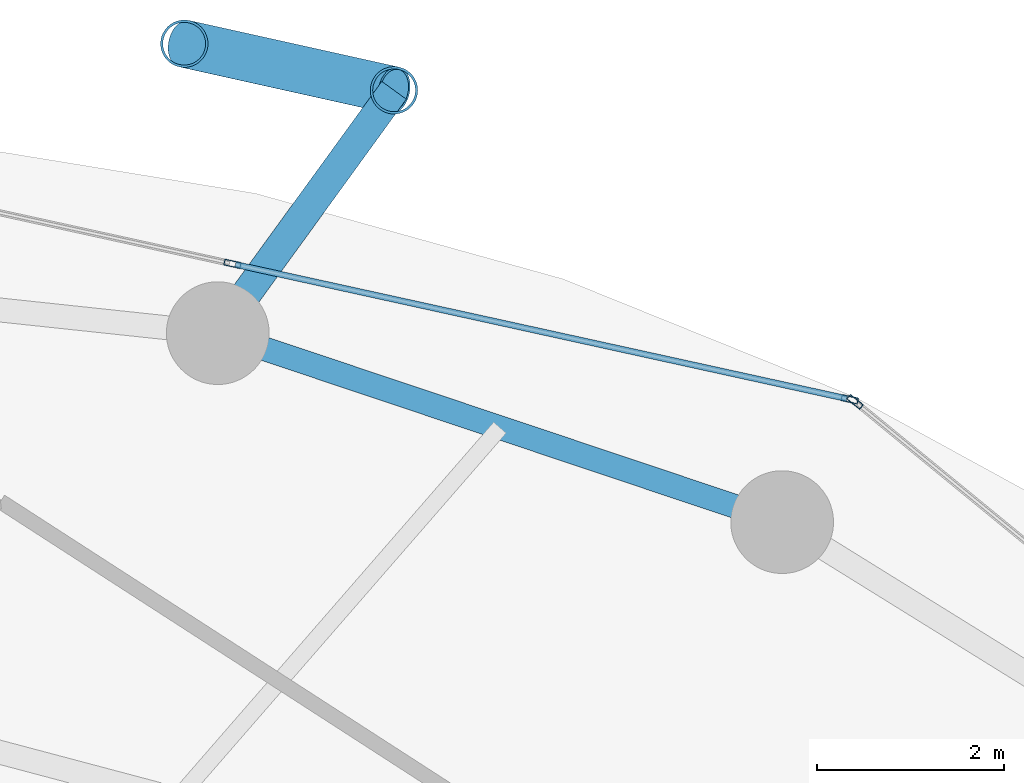
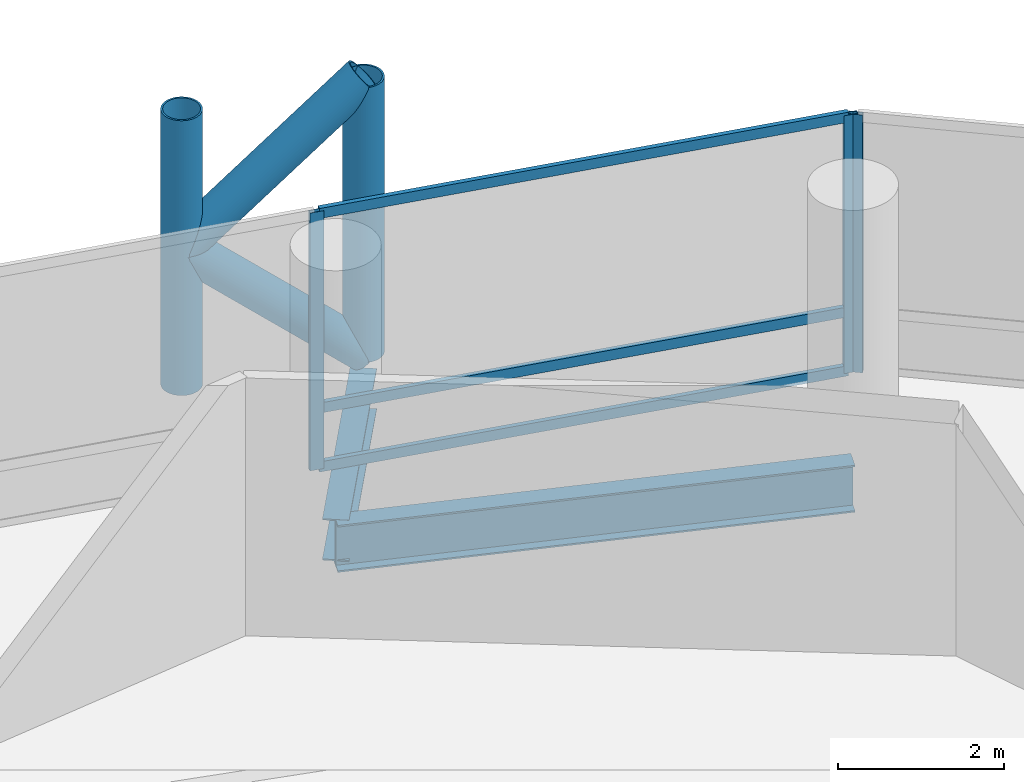
# One storey, part 18 of 24: 10 members, 2 beams, 2 elements without a shape of their own.
"""IFC4 building model written with IfcOpenShell, lengths in metres."""

import ifcopenshell
import ifcopenshell.guid

model = None  # the IFC model being written
_history = None  # IfcOwnerHistory: only IFC2X3 demands one
_inside = {}  # id of a spatial element -> (the spatial element, [elements in it])
_under = {}  # id of a project, library or spatial element -> (it, [spatial elements below it])
_declared = {}  # id of a project -> (the project, [libraries it declares])
_typed = {}  # id of a type object -> (the type object, [elements of that type])
_made_of = {}  # id of a material, layer set ... -> (it, [elements and type objects made of it])


def new_model(schema):
    """Start an empty IFC model of exactly this schema.

    Asked for "IFC4X3", IfcOpenShell would pick the latest addendum, in which some entities
    have other attributes; the version numbers below select the first issue.
    IFC2X3 requires an IfcOwnerHistory on every rooted entity: one is made here for all.
    """
    global model, _history
    if schema == "IFC4X3":
        model = ifcopenshell.file(schema_version=(4, 3, 0, 0))
    else:
        model = ifcopenshell.file(schema=schema)
    _inside.clear()
    _under.clear()
    _declared.clear()
    _typed.clear()
    _made_of.clear()
    _history = None
    if model.schema == "IFC2X3":
        org = make("IfcOrganization", Name="unknown")
        user = make(
            "IfcPersonAndOrganization",
            ThePerson=make("IfcPerson", FamilyName="unknown"),
            TheOrganization=org,
        )
        app = make(
            "IfcApplication",
            ApplicationDeveloper=org,
            Version="unknown",
            ApplicationFullName="unknown",
            ApplicationIdentifier="unknown",
        )
        _history = make(
            "IfcOwnerHistory",
            OwningUser=user,
            OwningApplication=app,
            ChangeAction="ADDED",
            CreationDate=0,
        )
    return model


def make(cls, **values):
    """One entity of the class cls with the attributes given. An attribute that is None is left unset."""
    return model.create_entity(
        cls, **{name: value for name, value in values.items() if value is not None}
    )


def rooted(cls, **values):
    """An entity with a GlobalId (a new one), such as an element, a storey or a relation."""
    return make(cls, GlobalId=ifcopenshell.guid.new(), OwnerHistory=_history, **values)


def si_unit(unit_type, name, prefix=None):
    """IfcSIUnit, for example si_unit("LENGTHUNIT", "METRE", prefix="MILLI")."""
    return make("IfcSIUnit", UnitType=unit_type, Prefix=prefix, Name=name)


def assignment(units):
    """IfcUnitAssignment: the units of a project."""
    return None if units is None else make("IfcUnitAssignment", Units=units)


def point(xyz):
    """IfcCartesianPoint."""
    return None if xyz is None else make("IfcCartesianPoint", Coordinates=xyz)


def direction(xyz):
    """IfcDirection."""
    return None if xyz is None else make("IfcDirection", DirectionRatios=xyz)


def frame(location, z_axis=None, x_axis=None):
    """IfcAxis2Placement3D, a coordinate frame: its origin and axes. An axis left out is left unset."""
    return make(
        "IfcAxis2Placement3D",
        Location=point(location),
        Axis=direction(z_axis),
        RefDirection=direction(x_axis),
    )


def frame_2d(location, x_axis=None):
    """IfcAxis2Placement2D, a coordinate frame in the plane: its origin and x axis."""
    return make(
        "IfcAxis2Placement2D", Location=point(location), RefDirection=direction(x_axis)
    )


def origin():
    """The frame at (0, 0, 0) with its axes left unset."""
    return frame((0.0, 0.0, 0.0))


def origin_2d():
    """The frame at (0, 0) in the plane with its x axis left unset."""
    return frame_2d((0.0, 0.0))


def place(relative_to, where):
    """IfcLocalPlacement: puts the frame where relative to a parent placement (None: the world)."""
    return make(
        "IfcLocalPlacement", PlacementRelTo=relative_to, RelativePlacement=where
    )


def context(
    kind, dimensions, precision=None, world=None, true_north=None, identifier=None
):
    """IfcGeometricRepresentationContext, for example the 3D "Model" context."""
    return make(
        "IfcGeometricRepresentationContext",
        ContextIdentifier=identifier,
        ContextType=kind,
        CoordinateSpaceDimension=dimensions,
        Precision=precision,
        WorldCoordinateSystem=world,
        TrueNorth=true_north,
    )


def subcontext(parent, identifier, kind, view, scale=None):
    """IfcGeometricRepresentationSubContext, for example "Body" below "Model"."""
    return make(
        "IfcGeometricRepresentationSubContext",
        ContextIdentifier=identifier,
        ContextType=kind,
        ParentContext=parent,
        TargetScale=scale,
        TargetView=view,
    )


def project(units=None, contexts=None):
    """IfcProject with its units and contexts."""
    return rooted(
        "IfcProject",
        Name="project",
        RepresentationContexts=contexts,
        UnitsInContext=assignment(units),
    )


def spatial(cls, under=None, at=None, **own):
    """A site, building, storey or space (cls), placed at a placement, below another one or the project."""
    s = rooted(cls, ObjectPlacement=at, **own)
    if under is not None:
        _under.setdefault(under.id(), (under, []))[1].append(s)
    return s


def profile(cls, at=None, kind="AREA", **sizes):
    """A parametric profile (cls). Its sizes go by their IFC names, for example OverallWidth=200.0."""
    return make(cls, ProfileType=kind, Position=at, **sizes)


def hollow_rectangle(**sizes):
    """IfcRectangleHollowProfileDef."""
    return profile("IfcRectangleHollowProfileDef", **sizes)


def hollow_circle(**sizes):
    """IfcCircleHollowProfileDef."""
    return profile("IfcCircleHollowProfileDef", **sizes)


def i_section(**sizes):
    """IfcIShapeProfileDef."""
    return profile("IfcIShapeProfileDef", **sizes)


def extrude(swept, where, along, depth):
    """IfcExtrudedAreaSolid: the profile swept, set in the frame where, extruded along a direction by depth."""
    return make(
        "IfcExtrudedAreaSolid",
        SweptArea=swept,
        Position=where,
        ExtrudedDirection=direction(along),
        Depth=depth,
    )


def shape(context_of_items, identifier, shape_type, items):
    """IfcShapeRepresentation: the items that make up one representation, for example the "Body"."""
    return make(
        "IfcShapeRepresentation",
        ContextOfItems=context_of_items,
        RepresentationIdentifier=identifier,
        RepresentationType=shape_type,
        Items=items,
    )


def material(Name=None, Category=None):
    """IfcMaterial."""
    return make("IfcMaterial", Name=Name, Category=Category)


def layer(
    of_material, thickness, ventilated=None, Name=None, Category=None, Priority=None
):
    """IfcMaterialLayer: one layer of a wall or slab, of a material (None: an air gap)."""
    return make(
        "IfcMaterialLayer",
        Material=of_material,
        LayerThickness=thickness,
        IsVentilated=ventilated,
        Name=Name,
        Category=Category,
        Priority=Priority,
    )


def layer_set(layers, Name=None):
    """IfcMaterialLayerSet."""
    return make("IfcMaterialLayerSet", MaterialLayers=layers, LayerSetName=Name)


def material_profile(
    of_material, cross_section, Name=None, Category=None, Priority=None
):
    """IfcMaterialProfile: a cross section and its material."""
    return make(
        "IfcMaterialProfile",
        Name=Name,
        Material=of_material,
        Profile=cross_section,
        Priority=Priority,
        Category=Category,
    )


def profile_set(profiles, Name=None, composite=None):
    """IfcMaterialProfileSet."""
    return make(
        "IfcMaterialProfileSet",
        Name=Name,
        MaterialProfiles=profiles,
        CompositeProfile=composite,
    )


def made_of(thing, what):
    """Note that an element or type object is made of a material, layer set ...; save() writes the relation."""
    if what is not None:
        _made_of.setdefault(what.id(), (what, []))[1].append(thing)
    return thing


def type_object(cls, material=None, **own):
    """A type object (cls), such as IfcWallType, which elements share."""
    return made_of(rooted(cls, **own), material)


def element(
    cls,
    number,
    at=None,
    inside=None,
    cuts=None,
    type_object=None,
    material=None,
    context=None,
    identifier="Body",
    shape_type=None,
    held_by="IfcProductDefinitionShape",
    body=None,
    shapes=None,
    **own,
):
    """One element of the class cls, such as IfcWall. Its Tag is "e" and its number.

    at: its placement. inside: the storey or other place that contains it. cuts: it is an
    opening in that element (IfcRelVoidsElement). A single representation is given by context,
    identifier, shape_type and body (its items); several are given by shapes. held_by: the class
    of the entity that holds the representations. save() writes the other relations.
    """
    e = rooted(cls, Tag="e%d" % number, ObjectPlacement=at, **own)
    if body is not None:
        shapes = [shape(context, identifier, shape_type, body)]
    if shapes is not None:
        e.Representation = make(held_by, Representations=shapes)
    if inside is not None:
        _inside.setdefault(inside.id(), (inside, []))[1].append(e)
    if cuts is not None:
        rooted(
            "IfcRelVoidsElement", RelatingBuildingElement=cuts, RelatedOpeningElement=e
        )
    if type_object is not None:
        _typed.setdefault(type_object.id(), (type_object, []))[1].append(e)
    return made_of(e, material)


def aggregate(whole, parts):
    """IfcRelAggregates: a whole, such as a stair, and the parts it consists of."""
    return rooted("IfcRelAggregates", RelatingObject=whole, RelatedObjects=parts)


def save(model, path):
    """Write the relations noted so far, then the file.

    IfcRelAggregates (storeys below a building ...), IfcRelContainedInSpatialStructure (elements
    in a storey), IfcRelDefinesByType, IfcRelAssociatesMaterial and IfcRelDeclares: one each for
    every whole, place, type object, material and project.
    """
    for whole, parts in _under.values():
        aggregate(whole, parts)
    for where, things in _inside.values():
        rooted(
            "IfcRelContainedInSpatialStructure",
            RelatedElements=things,
            RelatingStructure=where,
        )
    for kind, things in _typed.values():
        rooted("IfcRelDefinesByType", RelatedObjects=things, RelatingType=kind)
    for what, things in _made_of.values():
        rooted("IfcRelAssociatesMaterial", RelatedObjects=things, RelatingMaterial=what)
    for by, libraries in _declared.values():
        rooted("IfcRelDeclares", RelatingContext=by, RelatedDefinitions=libraries)
    model.write(path)


model = new_model("IFC4")

# Units and contexts
model_context = context("Model", 3, precision=1e-05, world=origin(), true_north=direction((0.0, 1.0)))
body_context = subcontext(model_context, "Body", "Model", "MODEL_VIEW")
ifc_project = project(units=[si_unit("LENGTHUNIT", "METRE"), si_unit("AREAUNIT", "SQUARE_METRE"), si_unit("VOLUMEUNIT", "CUBIC_METRE"), si_unit("PLANEANGLEUNIT", "RADIAN"), si_unit("MASSUNIT", "GRAM", prefix="KILO")], contexts=[model_context])

# Site, building, storey
site_placement = place(None, origin())
site = spatial("IfcSite", under=ifc_project, at=site_placement, CompositionType="ELEMENT")
building_placement = place(site_placement, origin())
building = spatial("IfcBuilding", under=site, at=building_placement, Name="Nuhasar Tower", CompositionType="ELEMENT")
storey_placement = place(building_placement, frame((0.0, 0.0, 85.800048828125)))
storey = spatial("IfcBuildingStorey", under=building, at=storey_placement, Name="L20", CompositionType="ELEMENT", Elevation=85.800048828125)

# Beams
ifc_material_1 = material(Name="Steel S355", Category="steel")
ifc_material_profile_1 = material_profile(ifc_material_1, i_section(OverallWidth=0.256103515625, OverallDepth=0.693115234375, WebThickness=0.014404296875, FlangeThickness=0.023681640625, at=origin_2d()), Name="W27X114")
ifc_profile_set_1 = profile_set([ifc_material_profile_1], Name="Steel S355")
beam_type_1 = type_object("IfcBeamType", Name="BM-RING-W27X114", PredefinedType="SPANDREL", material=ifc_profile_set_1)
beam_1_placement = place(storey_placement, frame((51.52490234375, 44.3369140625, -0.59716796875), z_axis=(-0.948249435708, 0.317526388949, 0.0), x_axis=(-0.317526388949, -0.948249435708, 0.0)))
element("IfcBeam", 1, at=beam_1_placement, inside=storey, type_object=beam_type_1, Name="L20 Perimeter Ring Spandrel 05", PredefinedType="SPANDREL", context=body_context, shape_type="SweptSolid", body=[
    extrude(i_section(OverallWidth=0.256103515625, OverallDepth=0.693115234375, WebThickness=0.014404296875, FlangeThickness=0.023681640625, at=origin_2d()), origin(), (0.0, 0.0, 1.0), 6.371826171875),
])
ifc_material_profile_2 = material_profile(ifc_material_1, i_section(OverallWidth=0.323974609375, OverallDepth=0.611083984375, WebThickness=0.0126953125, FlangeThickness=0.01904296875, at=origin_2d()), Name="W24X104")
ifc_profile_set_2 = profile_set([ifc_material_profile_2], Name="Steel S355")
beam_type_2 = type_object("IfcBeamType", Name="BM-TIE-W24X104", PredefinedType="BEAM", material=ifc_profile_set_2)
beam_2_placement = place(storey_placement, frame((45.48291015625, 46.360107421875, -0.554931640625), z_axis=(0.587439442414, 0.809268127073, 0.0), x_axis=(-0.809268127073, 0.587439442414, 0.0)))
element("IfcBeam", 2, at=beam_2_placement, inside=storey, type_object=beam_type_2, Name="L20 Exoskeleton Node Tie Beam 03", PredefinedType="BEAM", context=body_context, shape_type="SweptSolid", body=[
    extrude(i_section(OverallWidth=0.323974609375, OverallDepth=0.611083984375, WebThickness=0.0126953125, FlangeThickness=0.01904296875, at=origin_2d()), origin(), (0.0, 0.0, 1.0), 3.212646484375),
])

# Curtain wall, member
ifc_material_2 = material(Name="Aluminium 6063-T6", Category="aluminium")
ifc_layer = layer(ifc_material_2, 0.199951171875)
ifc_layer_set = layer_set([ifc_layer], Name="Aluminium 6063-T6")
curtain_wall_type = type_object("IfcCurtainWallType", Name="CW-Z1-OFF", PredefinedType="NOTDEFINED", material=ifc_layer_set)
curtain_wall_1_placement = place(storey_placement, origin())
curtain_wall_1 = element("IfcCurtainWall", 3, at=curtain_wall_1_placement, inside=storey, type_object=curtain_wall_type, Name="L20 Unitised Curtain Wall 02", PredefinedType="NOTDEFINED")
ifc_material_profile_3 = material_profile(ifc_material_2, hollow_rectangle(XDim=0.06494140625, YDim=0.179931640625, WallThickness=0.0048828125, at=origin_2d()), Name="CWM-2")
ifc_profile_set_3 = profile_set([ifc_material_profile_3], Name="Aluminium 6063-T6")
member_type_1 = type_object("IfcMemberType", Name="CW-MUL-S2", PredefinedType="MULLION", material=ifc_profile_set_3)
member_1_placement = place(storey_placement, frame((52.30517578125, 45.62451171875, 0.0), z_axis=(0.0, 0.0, 1.0), x_axis=(-0.633744593376, -0.773542364946, 0.0)))
member_1 = element("IfcMember", 4, at=member_1_placement, type_object=member_type_1, Name="CW-Z1 mullion 2", PredefinedType="MULLION", context=body_context, shape_type="SweptSolid", body=[
    extrude(hollow_rectangle(XDim=0.06494140625, YDim=0.179931640625, WallThickness=0.0048828125, at=origin_2d()), origin(), (0.0, 0.0, 1.0), 3.800048828125),
])
aggregate(curtain_wall_1, [member_1])

# Curtain wall, members
curtain_wall_2_placement = place(storey_placement, origin())
curtain_wall_2 = element("IfcCurtainWall", 5, at=curtain_wall_2_placement, inside=storey, type_object=curtain_wall_type, Name="L20 Unitised Curtain Wall 03", PredefinedType="NOTDEFINED")
member_2_placement = place(storey_placement, frame((52.248291015625, 45.65185546875, 0.0), z_axis=(0.0, 0.0, 1.0), x_axis=(-0.214398737637, -0.976746221544, 0.0)))
member_2 = element("IfcMember", 6, at=member_2_placement, type_object=member_type_1, Name="CW-Z1 mullion 1", PredefinedType="MULLION", context=body_context, shape_type="SweptSolid", body=[
    extrude(hollow_rectangle(XDim=0.06494140625, YDim=0.179931640625, WallThickness=0.0048828125, at=origin_2d()), origin(), (0.0, 0.0, 1.0), 3.800048828125),
])
member_3_placement = place(storey_placement, frame((45.639892578125, 47.1025390625, 0.0), z_axis=(0.0, 0.0, 1.0), x_axis=(-0.214398737637, -0.976746221544, 0.0)))
member_3 = element("IfcMember", 7, at=member_3_placement, type_object=member_type_1, Name="CW-Z1 mullion 2", PredefinedType="MULLION", context=body_context, shape_type="SweptSolid", body=[
    extrude(hollow_rectangle(XDim=0.06494140625, YDim=0.179931640625, WallThickness=0.0048828125, at=origin_2d()), origin(), (0.0, 0.0, 1.0), 3.800048828125),
])
ifc_material_profile_4 = material_profile(ifc_material_2, hollow_rectangle(XDim=0.06494140625, YDim=0.14990234375, WallThickness=0.00439453125, at=origin_2d()), Name="CWT-2")
ifc_profile_set_4 = profile_set([ifc_material_profile_4], Name="Aluminium 6063-T6")
member_type_2 = type_object("IfcMemberType", Name="CW-TRN-S2", PredefinedType="USERDEFINED", material=ifc_profile_set_4)
member_4_placement = place(storey_placement, frame((52.216552734375, 45.658935546875, 0.032470703125), z_axis=(-0.976749553792, 0.214383556196, 0.0), x_axis=(-0.214383556196, -0.976749553792, 0.0)))
member_4 = element("IfcMember", 8, at=member_4_placement, type_object=member_type_2, Name="CW-Z1 transom 1.1", ObjectType="TRANSOM", PredefinedType="USERDEFINED", context=body_context, shape_type="SweptSolid", body=[
    extrude(hollow_rectangle(XDim=0.06494140625, YDim=0.14990234375, WallThickness=0.00439453125, at=origin_2d()), origin(), (0.0, 0.0, 1.0), 6.70068359375),
])
member_5_placement = place(storey_placement, frame((52.216552734375, 45.658935546875, 0.89990234375), z_axis=(-0.976749553792, 0.214383556196, 0.0), x_axis=(-0.214383556196, -0.976749553792, 0.0)))
member_5 = element("IfcMember", 9, at=member_5_placement, type_object=member_type_2, Name="CW-Z1 transom 1.2", ObjectType="TRANSOM", PredefinedType="USERDEFINED", context=body_context, shape_type="SweptSolid", body=[
    extrude(hollow_rectangle(XDim=0.06494140625, YDim=0.14990234375, WallThickness=0.00439453125, at=origin_2d()), origin(), (0.0, 0.0, 1.0), 6.70068359375),
])
member_6_placement = place(storey_placement, frame((52.216552734375, 45.658935546875, 3.767333984375), z_axis=(-0.976749553792, 0.214383556196, 0.0), x_axis=(-0.214383556196, -0.976749553792, 0.0)))
member_6 = element("IfcMember", 10, at=member_6_placement, type_object=member_type_2, Name="CW-Z1 transom 1.3", ObjectType="TRANSOM", PredefinedType="USERDEFINED", context=body_context, shape_type="SweptSolid", body=[
    extrude(hollow_rectangle(XDim=0.06494140625, YDim=0.14990234375, WallThickness=0.00439453125, at=origin_2d()), origin(), (0.0, 0.0, 1.0), 6.70068359375),
])
aggregate(curtain_wall_2, [member_2, member_3, member_4, member_5, member_6])

# Members
ifc_material_3 = material(Name="Steel S460", Category="steel")
ifc_material_profile_5 = material_profile(ifc_material_3, hollow_circle(Radius=0.25390625, WallThickness=0.025390625, at=origin_2d()), Name="HSS508X25.4")
ifc_profile_set_5 = profile_set([ifc_material_profile_5], Name="Steel S460")
member_type_3 = type_object("IfcMemberType", Name="EXO-BRONZE-508", PredefinedType="BRACE", material=ifc_profile_set_5)
for number, where, z_axis, x_axis, name in (
    (11, (47.3701171875, 48.9599609375, 0.0), (0.0, 0.0, 1.0), (1.0, 0.0, 0.0), "L20 Exoskeleton Chord Column EC-03A"),
    (12, (45.1240234375, 49.458984375, 0.0), (0.0, 0.0, 1.0), (1.0, 0.0, 0.0), "L20 Exoskeleton Chord Column EC-03B"),
):
    element("IfcMember", number, at=place(storey_placement, frame(where, z_axis=z_axis, x_axis=x_axis)), inside=storey, type_object=member_type_3, Name=name, PredefinedType="BRACE", context=body_context, shape_type="SweptSolid", body=[
        extrude(hollow_circle(Radius=0.25390625, WallThickness=0.025390625, at=origin_2d()), origin(), (0.0, 0.0, 1.0), 4.050048828125),
    ])
member_7_placement = place(storey_placement, frame((47.3701171875, 48.9599609375, 0.0), z_axis=(-0.732821471909, 0.162813813976, 0.660654487828), x_axis=(-0.216885517571, -0.97619704582, 0.0)))
element("IfcMember", 13, at=member_7_placement, inside=storey, type_object=member_type_3, Name="L20 Bronze Diagrid Brace W1-03", PredefinedType="BRACE", context=body_context, shape_type="SweptSolid", body=[
    extrude(hollow_circle(Radius=0.25390625, WallThickness=0.025390625, at=origin_2d()), origin(), (0.0, 0.0, 1.0), 3.06494140625),
])
member_8_placement = place(storey_placement, frame((45.1240234375, 49.458984375, 2.02490234375), z_axis=(0.732782908552, -0.162805246204, 0.660699372439), x_axis=(0.216885517571, 0.97619704582, 0.0)))
element("IfcMember", 14, at=member_8_placement, inside=storey, type_object=member_type_3, Name="L20 Bronze Diagrid Brace W2-03", PredefinedType="BRACE", context=body_context, shape_type="SweptSolid", body=[
    extrude(hollow_circle(Radius=0.25390625, WallThickness=0.025390625, at=origin_2d()), origin(), (0.0, 0.0, 1.0), 3.065185546875),
])

save(model, "model.ifc")
